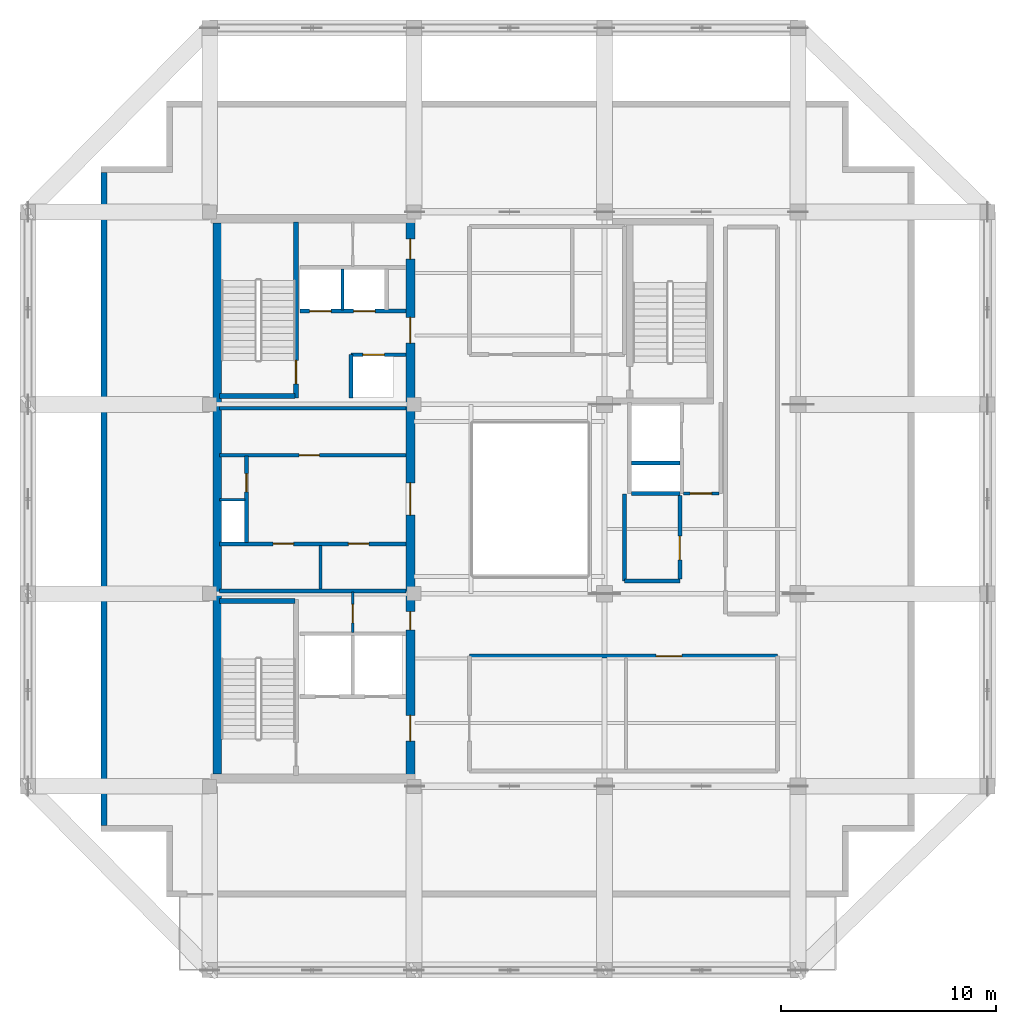
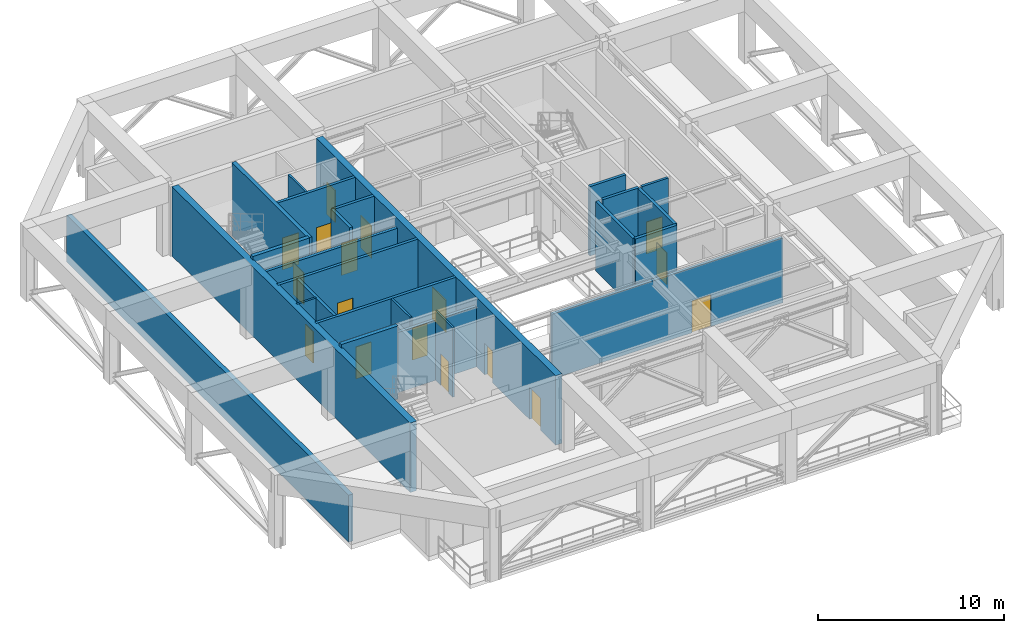
# One storey, part 4 of 10: 25 walls, 17 doors, 17 openings.
"""IFC4 building model written with IfcOpenShell, lengths in metres."""

from ifc_helpers import new_model, si_unit, direction, frame, frame_2d, origin, place, context, subcontext, project, spatial, rectangle, extrude, material, layer, layer_set, type_object, element, fill, save


model = new_model("IFC4")

# Units and contexts
model_context = context("Model", 3, precision=1e-05, world=origin(), true_north=direction((0.0, 1.0)))
body_context = subcontext(model_context, "Body", "Model", "MODEL_VIEW")
ifc_project = project(units=[si_unit("LENGTHUNIT", "METRE"), si_unit("AREAUNIT", "SQUARE_METRE"), si_unit("VOLUMEUNIT", "CUBIC_METRE"), si_unit("PLANEANGLEUNIT", "RADIAN"), si_unit("MASSUNIT", "GRAM", prefix="KILO")], contexts=[model_context])

# Site, building, storey
site_placement = place(None, origin())
site = spatial("IfcSite", under=ifc_project, at=site_placement, CompositionType="ELEMENT")
building_placement = place(site_placement, origin())
building = spatial("IfcBuilding", under=site, at=building_placement, Name="Kundavana Baori Tower", CompositionType="ELEMENT")
storey_placement = place(building_placement, frame((0.0, 0.0, 307.699951171875)))
storey = spatial("IfcBuildingStorey", under=building, at=storey_placement, Name="L76", CompositionType="ELEMENT", Elevation=307.699951171875)

# Wall
ifc_material_1 = material(Name="Concrete C50/60", Category="concrete")
ifc_layer_1 = layer(ifc_material_1, 0.39990234375, Name="WL-CORE-400")
ifc_layer_set_1 = layer_set([ifc_layer_1], Name="Concrete C50/60")
wall_type_1 = type_object("IfcWallType", Name="WL-CORE-400", PredefinedType="SHEAR", material=ifc_layer_set_1)
wall_1_placement = place(storey_placement, frame((15.7900390625, 15.81005859375, 0.0), z_axis=(0.0, 0.0, 1.0), x_axis=(0.0, 1.0, 0.0)))
element("IfcWall", 1, at=wall_1_placement, inside=storey, type_object=wall_type_1, Name="L76 Offset Core West Shear Wall", PredefinedType="SHEAR", context=body_context, shape_type="SweptSolid", body=[
    extrude(rectangle(XDim=25.6298828125, YDim=0.39990234375, at=frame_2d((12.81494140625, 0.0))), origin(), (0.0, 0.0, 1.0), 4.56005859375),
])

# Wall, openings, doors
wall_2_placement = place(storey_placement, frame((24.780029296875, 15.739990234375, 0.0), z_axis=(0.0, 0.0, 1.0), x_axis=(0.0, 1.0, 0.0)))
wall_2 = element("IfcWall", 2, at=wall_2_placement, inside=storey, type_object=wall_type_1, Name="L76 Offset Core East Shear Wall", PredefinedType="SHEAR", context=body_context, shape_type="SweptSolid", body=[
    extrude(rectangle(XDim=25.760009765625, YDim=0.39990234375, at=frame_2d((12.8798828125, 0.0))), origin(), (0.0, 0.0, 1.0), 4.56005859375),
])
opening_1_placement = place(wall_2_placement, frame((1.610107421875, 0.0, 0.0)))
opening_1 = element("IfcOpeningElement", 3, at=opening_1_placement, cuts=wall_2, Name="Opening FD-120", PredefinedType="OPENING", context=body_context, shape_type="SweptSolid", body=[
    extrude(rectangle(XDim=1.199951171875, YDim=2.10009765625, at=frame_2d((0.60009765625, 1.050048828125))), frame((0.0, 0.2099609375, 0.0), z_axis=(0.0, -1.0, 0.0), x_axis=(1.0, 0.0, 0.0)), (0.0, 0.0, 1.0), 0.419921875),
])
opening_2_placement = place(wall_2_placement, frame((6.780029296875, 0.0, 0.0)))
opening_2 = element("IfcOpeningElement", 4, at=opening_2_placement, cuts=wall_2, Name="Opening FD-085", PredefinedType="OPENING", context=body_context, shape_type="SweptSolid", body=[
    extrude(rectangle(XDim=0.85009765625, YDim=2.06005859375, at=frame_2d((0.425048828125, 1.030029296875))), frame((0.0, 0.2099609375, 0.0), z_axis=(0.0, -1.0, 0.0), x_axis=(1.0, 0.0, 0.0)), (0.0, 0.0, 1.0), 0.419921875),
])
opening_3_placement = place(wall_2_placement, frame((12.110107421875, 0.0, 0.0)))
opening_3 = element("IfcOpeningElement", 5, at=opening_3_placement, cuts=wall_2, Name="Opening FD-150", PredefinedType="OPENING", context=body_context, shape_type="SweptSolid", body=[
    extrude(rectangle(XDim=1.5, YDim=2.1201171875, at=frame_2d((0.75, 1.06005859375))), frame((0.0, 0.2099609375, 0.0), z_axis=(0.0, -1.0, 0.0), x_axis=(1.0, 0.0, 0.0)), (0.0, 0.0, 1.0), 0.419921875),
])
opening_4_placement = place(wall_2_placement, frame((20.110107421875, 0.0, 0.0)))
opening_4 = element("IfcOpeningElement", 6, at=opening_4_placement, cuts=wall_2, Name="Opening FD-122", PredefinedType="OPENING", context=body_context, shape_type="SweptSolid", body=[
    extrude(rectangle(XDim=1.199951171875, YDim=2.1201171875, at=frame_2d((0.60009765625, 1.06005859375))), frame((0.0, 0.2099609375, 0.0), z_axis=(0.0, -1.0, 0.0), x_axis=(1.0, 0.0, 0.0)), (0.0, 0.0, 1.0), 0.419921875),
])
opening_5_placement = place(wall_2_placement, frame((24.010009765625, 0.0, 0.0)))
opening_5 = element("IfcOpeningElement", 7, at=opening_5_placement, cuts=wall_2, Name="Opening FD-095", PredefinedType="OPENING", context=body_context, shape_type="SweptSolid", body=[
    extrude(rectangle(XDim=0.949951171875, YDim=2.10009765625, at=frame_2d((0.47509765625, 1.050048828125))), frame((0.0, 0.2099609375, 0.0), z_axis=(0.0, -1.0, 0.0), x_axis=(1.0, 0.0, 0.0)), (0.0, 0.0, 1.0), 0.419921875),
])
ifc_material_2 = material(Name="Galvanised Steel Fire-Rated Door Leaf", Category="steel")
door_type_1 = type_object("IfcDoorType", Name="DR-FD120-1200", OperationType="NOTDEFINED", PredefinedType="DOOR", material=ifc_material_2)
door_1_placement = place(opening_1_placement, frame((1.199951171875, 0.0, 0.0), z_axis=(0.0, 0.0, 1.0), x_axis=(-1.0, 0.0, 0.0)))
door_1 = element("IfcDoor", 8, at=door_1_placement, inside=storey, type_object=door_type_1, Name="DR-L76-FFLOB-E", OperationType="SINGLE_SWING_RIGHT", OverallHeight=2.10009765625, OverallWidth=1.199951171875, PredefinedType="DOOR", context=body_context, shape_type="SweptSolid", body=[
    extrude(rectangle(XDim=1.199951171875, YDim=2.10009765625, at=frame_2d((0.60009765625, 1.050048828125))), frame((0.0, 0.02490234375, 0.0), z_axis=(0.0, -1.0, 0.0), x_axis=(1.0, 0.0, 0.0)), (0.0, 0.0, 1.0), 0.050048828125),
])
fill(opening_1, door_1)
ifc_material_3 = material(Name="Galvanised Steel Fire-Rated Door Leaf", Category="steel")
door_type_2 = type_object("IfcDoorType", Name="DR-FD60-1200", OperationType="NOTDEFINED", PredefinedType="DOOR", material=ifc_material_3)
door_2_placement = place(opening_4_placement, frame((1.199951171875, 0.0, 0.0), z_axis=(0.0, 0.0, 1.0), x_axis=(-1.0, 0.0, 0.0)))
door_2 = element("IfcDoor", 9, at=door_2_placement, inside=storey, type_object=door_type_2, Name="DR-L76-HRLOB-E", OperationType="SINGLE_SWING_RIGHT", OverallHeight=2.1201171875, OverallWidth=1.199951171875, PredefinedType="DOOR", context=body_context, shape_type="SweptSolid", body=[
    extrude(rectangle(XDim=1.199951171875, YDim=2.1201171875, at=frame_2d((0.60009765625, 1.06005859375))), frame((0.0, 0.02490234375, 0.0), z_axis=(0.0, -1.0, 0.0), x_axis=(1.0, 0.0, 0.0)), (0.0, 0.0, 1.0), 0.050048828125),
])
fill(opening_4, door_2)
ifc_material_4 = material(Name="Galvanised Steel Fire-Rated Door Leaf", Category="steel")
door_type_3 = type_object("IfcDoorType", Name="DR-FD60-1500", OperationType="NOTDEFINED", PredefinedType="DOOR", material=ifc_material_4)
door_3_placement = place(opening_3_placement, frame((1.5, 0.0, 0.0), z_axis=(0.0, 0.0, 1.0), x_axis=(-1.0, 0.0, 0.0)))
door_3 = element("IfcDoor", 10, at=door_3_placement, inside=storey, type_object=door_type_3, Name="DR-L76-LIFTHALL-E", OperationType="SINGLE_SWING_LEFT", OverallHeight=2.1201171875, OverallWidth=1.5, PredefinedType="DOOR", context=body_context, shape_type="SweptSolid", body=[
    extrude(rectangle(XDim=1.5, YDim=2.1201171875, at=frame_2d((0.75, 1.06005859375))), frame((0.0, 0.02490234375, 0.0), z_axis=(0.0, -1.0, 0.0), x_axis=(1.0, 0.0, 0.0)), (0.0, 0.0, 1.0), 0.050048828125),
])
fill(opening_3, door_3)
ifc_material_5 = material(Name="Galvanised Steel Fire-Rated Door Leaf", Category="steel")
door_type_4 = type_object("IfcDoorType", Name="DR-FD60-850", OperationType="NOTDEFINED", PredefinedType="DOOR", material=ifc_material_5)
door_4_placement = place(opening_2_placement, frame((0.85009765625, 0.0, 0.0), z_axis=(0.0, 0.0, 1.0), x_axis=(-1.0, 0.0, 0.0)))
door_4 = element("IfcDoor", 11, at=door_4_placement, inside=storey, type_object=door_type_4, Name="DR-L76-CSMK2", OperationType="SINGLE_SWING_RIGHT", OverallHeight=2.06005859375, OverallWidth=0.85009765625, PredefinedType="DOOR", context=body_context, shape_type="SweptSolid", body=[
    extrude(rectangle(XDim=0.85009765625, YDim=2.06005859375, at=frame_2d((0.425048828125, 1.030029296875))), frame((0.0, 0.02490234375, 0.0), z_axis=(0.0, -1.0, 0.0), x_axis=(1.0, 0.0, 0.0)), (0.0, 0.0, 1.0), 0.050048828125),
])
fill(opening_2, door_4)
ifc_material_6 = material(Name="Engineered Teak Fire-Rated Timber Door Leaf", Category="wood")
door_type_5 = type_object("IfcDoorType", Name="DR-FD60-950", OperationType="NOTDEFINED", PredefinedType="DOOR", material=ifc_material_6)
door_5_placement = place(opening_5_placement, frame((0.949951171875, 0.0, 0.0), z_axis=(0.0, 0.0, 1.0), x_axis=(-1.0, 0.0, 0.0)))
door_5 = element("IfcDoor", 12, at=door_5_placement, inside=storey, type_object=door_type_5, Name="DR-L76-CSRV2", OperationType="SINGLE_SWING_RIGHT", OverallHeight=2.10009765625, OverallWidth=0.949951171875, PredefinedType="DOOR", context=body_context, shape_type="SweptSolid", body=[
    extrude(rectangle(XDim=0.949951171875, YDim=2.10009765625, at=frame_2d((0.47509765625, 1.050048828125))), frame((0.0, 0.02490234375, 0.0), z_axis=(0.0, -1.0, 0.0), x_axis=(1.0, 0.0, 0.0)), (0.0, 0.0, 1.0), 0.050048828125),
])
fill(opening_5, door_5)

# Wall
wall_3_placement = place(storey_placement, frame((15.89990234375, 23.860107421875, 0.0), z_axis=(0.0, 0.0, 1.0), x_axis=(1.0, 0.0, 0.0)))
element("IfcWall", 13, at=wall_3_placement, inside=storey, type_object=wall_type_1, Name="WL-L76-ST1-N", PredefinedType="SHEAR", context=body_context, shape_type="SweptSolid", body=[
    extrude(rectangle(XDim=3.52001953125, YDim=0.239990234375, at=frame_2d((1.760009765625, 0.0))), origin(), (0.0, 0.0, 1.0), 4.800048828125),
])

# Wall, opening, door
wall_4_placement = place(storey_placement, frame((19.4599609375, 33.300048828125, 0.0), z_axis=(0.0, 0.0, 1.0), x_axis=(0.0, 1.0, 0.0)))
wall_4 = element("IfcWall", 14, at=wall_4_placement, inside=storey, type_object=wall_type_1, Name="WL-L76-ST2-E", PredefinedType="SHEAR", context=body_context, shape_type="SweptSolid", body=[
    extrude(rectangle(XDim=8.179931640625, YDim=0.239990234375, at=frame_2d((4.08984375, 0.0))), origin(), (0.0, 0.0, 1.0), 4.800048828125),
])
opening_6_placement = place(wall_4_placement, frame((0.64990234375, 0.0, 0.0)))
opening_6 = element("IfcOpeningElement", 15, at=opening_6_placement, cuts=wall_4, Name="Opening FD-110", PredefinedType="OPENING", context=body_context, shape_type="SweptSolid", body=[
    extrude(rectangle(XDim=1.10009765625, YDim=2.10009765625, at=frame_2d((0.550048828125, 1.050048828125))), frame((0.0, 0.1298828125, 0.0), z_axis=(0.0, -1.0, 0.0), x_axis=(1.0, 0.0, 0.0)), (0.0, 0.0, 1.0), 0.260009765625),
])
ifc_material_7 = material(Name="Galvanised Steel Fire-Rated Door Leaf", Category="steel")
door_type_6 = type_object("IfcDoorType", Name="DR-FD120-1100", OperationType="NOTDEFINED", PredefinedType="DOOR", material=ifc_material_7)
door_6_placement = place(opening_6_placement, origin())
door_6 = element("IfcDoor", 16, at=door_6_placement, inside=storey, type_object=door_type_6, Name="DR-L76-ST2", OperationType="SINGLE_SWING_RIGHT", OverallHeight=2.10009765625, OverallWidth=1.10009765625, PredefinedType="DOOR", context=body_context, shape_type="SweptSolid", body=[
    extrude(rectangle(XDim=1.10009765625, YDim=2.10009765625, at=frame_2d((0.550048828125, 1.050048828125))), frame((0.0, 0.02490234375, 0.0), z_axis=(0.0, -1.0, 0.0), x_axis=(1.0, 0.0, 0.0)), (0.0, 0.0, 1.0), 0.050048828125),
])
fill(opening_6, door_6)

# Walls
wall_5_placement = place(storey_placement, frame((15.89990234375, 33.389892578125, 0.0), z_axis=(0.0, 0.0, 1.0), x_axis=(1.0, 0.0, 0.0)))
element("IfcWall", 17, at=wall_5_placement, inside=storey, type_object=wall_type_1, Name="WL-L76-ST2-S", PredefinedType="SHEAR", context=body_context, shape_type="SweptSolid", body=[
    extrude(rectangle(XDim=3.52001953125, YDim=0.239990234375, at=frame_2d((1.760009765625, 0.0))), origin(), (0.0, 0.0, 1.0), 4.800048828125),
])
ifc_material_8 = material(Name="Red-Buff Dholpur Sandstone Cladding on Concrete C40/50", Category="masonry")
ifc_layer_2 = layer(ifc_material_8, 0.280029296875, Name="WL-EXT-SAND-280")
ifc_layer_set_2 = layer_set([ifc_layer_2], Name="Red-Buff Dholpur Sandstone Cladding on Concrete C40/50")
wall_type_2 = type_object("IfcWallType", Name="WL-EXT-SAND-280", PredefinedType="STANDARD", material=ifc_layer_set_2)
wall_6_placement = place(storey_placement, frame((10.5400390625, 43.77001953125, 0.0), z_axis=(0.0, 0.0, 1.0), x_axis=(0.0, -1.0, 0.0)))
element("IfcWall", 18, at=wall_6_placement, inside=storey, type_object=wall_type_2, Name="L76 Exterior Insulated Facade Wall 10", PredefinedType="STANDARD", context=body_context, shape_type="SweptSolid", body=[
    extrude(rectangle(XDim=30.340087890625, YDim=0.280029296875, at=frame_2d((15.169921875, 0.0))), origin(), (0.0, 0.0, 1.0), 3.080078125),
])

# Wall, opening, door
ifc_material_9 = material(Name="Acoustic Gypsum Plasterboard on Galvanised Steel Studs", Category="steel")
ifc_layer_3 = layer(ifc_material_9, 0.1201171875, Name="WL-PART-120")
ifc_layer_set_3 = layer_set([ifc_layer_3], Name="Acoustic Gypsum Plasterboard on Galvanised Steel Studs")
wall_type_3 = type_object("IfcWallType", Name="WL-PART-120", PredefinedType="PARTITIONING", material=ifc_layer_set_3)
wall_7_placement = place(storey_placement, frame((22.10009765625, 22.39990234375, 0.0), z_axis=(0.0, 0.0, 1.0), x_axis=(0.0, 1.0, 0.0)))
wall_7 = element("IfcWall", 19, at=wall_7_placement, inside=storey, type_object=wall_type_3, Name="WL-L76-CSMK-D1", PredefinedType="PARTITIONING", context=body_context, shape_type="SweptSolid", body=[
    extrude(rectangle(XDim=1.880126953125, YDim=0.1201171875, at=frame_2d((0.93994140625, 0.0))), origin(), (0.0, 0.0, 1.0), 4.56005859375),
])
opening_7_placement = place(wall_7_placement, frame((0.449951171875, 0.0, 0.0)))
opening_7 = element("IfcOpeningElement", 20, at=opening_7_placement, cuts=wall_7, Name="Opening FD-085", PredefinedType="OPENING", context=body_context, shape_type="SweptSolid", body=[
    extrude(rectangle(XDim=0.85009765625, YDim=2.06005859375, at=frame_2d((0.425048828125, 1.030029296875))), frame((0.0, 0.070068359375, 0.0), z_axis=(0.0, -1.0, 0.0), x_axis=(1.0, 0.0, 0.0)), (0.0, 0.0, 1.0), 0.14013671875),
])
door_7_placement = place(opening_7_placement, origin())
door_7 = element("IfcDoor", 21, at=door_7_placement, inside=storey, type_object=door_type_4, Name="DR-L76-CSMK1", OperationType="SINGLE_SWING_LEFT", OverallHeight=2.06005859375, OverallWidth=0.85009765625, PredefinedType="DOOR", context=body_context, shape_type="SweptSolid", body=[
    extrude(rectangle(XDim=0.85009765625, YDim=2.06005859375, at=frame_2d((0.425048828125, 1.030029296875))), frame((0.0, 0.02490234375, 0.0), z_axis=(0.0, -1.0, 0.0), x_axis=(1.0, 0.0, 0.0)), (0.0, 0.0, 1.0), 0.050048828125),
])
fill(opening_7, door_7)

# Walls
wall_8_placement = place(storey_placement, frame((20.60009765625, 24.419921875, 0.0), z_axis=(0.0, 0.0, 1.0), x_axis=(0.0, 1.0, 0.0)))
element("IfcWall", 22, at=wall_8_placement, inside=storey, type_object=wall_type_3, Name="WL-L76-FRLOW-DIV", PredefinedType="PARTITIONING", context=body_context, shape_type="SweptSolid", body=[
    extrude(rectangle(XDim=2.02001953125, YDim=0.1201171875, at=frame_2d((1.010009765625, 0.0))), origin(), (0.0, 0.0, 1.0), 4.56005859375),
])
wall_9_placement = place(storey_placement, frame((15.89990234375, 28.56005859375, 0.0), z_axis=(0.0, 0.0, 1.0), x_axis=(1.0, 0.0, 0.0)))
element("IfcWall", 23, at=wall_9_placement, inside=storey, type_object=wall_type_3, Name="WL-L76-RSRW-N", PredefinedType="PARTITIONING", context=body_context, shape_type="SweptSolid", body=[
    extrude(rectangle(XDim=1.2001953125, YDim=0.1201171875, at=frame_2d((0.60009765625, 0.0))), origin(), (0.0, 0.0, 1.0), 4.56005859375),
])
wall_10_placement = place(storey_placement, frame((21.6201171875, 37.39990234375, 0.0), z_axis=(0.0, 0.0, 1.0), x_axis=(0.0, 1.0, 0.0)))
element("IfcWall", 24, at=wall_10_placement, inside=storey, type_object=wall_type_3, Name="WL-L76-HR-DIV1", PredefinedType="PARTITIONING", context=body_context, shape_type="SweptSolid", body=[
    extrude(rectangle(XDim=1.900146484375, YDim=0.1201171875, at=frame_2d((0.9501953125, 0.0))), origin(), (0.0, 0.0, 1.0), 4.56005859375),
])

# Wall, opening, door
ifc_material_10 = material(Name="Fire-Rated Gypsum Drywall on Galvanised Steel Studs", Category="steel")
ifc_layer_4 = layer(ifc_material_10, 0.14990234375, Name="WL-PART-150")
ifc_layer_set_4 = layer_set([ifc_layer_4], Name="Fire-Rated Gypsum Drywall on Galvanised Steel Studs")
wall_type_4 = type_object("IfcWallType", Name="WL-PART-150", PredefinedType="PARTITIONING", material=ifc_layer_set_4)
wall_11_placement = place(storey_placement, frame((37.47998046875, 28.860107421875, 0.0), z_axis=(0.0, 0.0, 1.0), x_axis=(1.0, 0.0, 0.0)))
wall_11 = element("IfcWall", 25, at=wall_11_placement, inside=storey, type_object=wall_type_4, Name="WL-L76-SVLOB-S", PredefinedType="PARTITIONING", context=body_context, shape_type="SweptSolid", body=[
    extrude(rectangle(XDim=1.64013671875, YDim=0.14990234375, at=frame_2d((0.820068359375, 0.0))), origin(), (0.0, 0.0, 1.0), 4.56005859375),
])
opening_8_placement = place(wall_11_placement, frame((0.300048828125, 0.0, 0.0)))
opening_8 = element("IfcOpeningElement", 26, at=opening_8_placement, cuts=wall_11, Name="Opening FD-100", PredefinedType="OPENING", context=body_context, shape_type="SweptSolid", body=[
    extrude(rectangle(XDim=1.0, YDim=2.10009765625, at=frame_2d((0.5, 1.050048828125))), frame((0.0, 0.0849609375, 0.0), z_axis=(0.0, -1.0, 0.0), x_axis=(1.0, 0.0, 0.0)), (0.0, 0.0, 1.0), 0.169921875),
])
ifc_material_11 = material(Name="Engineered Teak Fire-Rated Timber Door Leaf", Category="wood")
door_type_7 = type_object("IfcDoorType", Name="DR-FD60-1000", OperationType="NOTDEFINED", PredefinedType="DOOR", material=ifc_material_11)
door_8_placement = place(opening_8_placement, origin())
door_8 = element("IfcDoor", 27, at=door_8_placement, inside=storey, type_object=door_type_7, Name="DR-L76-SVLOB-OUT", OperationType="SINGLE_SWING_LEFT", OverallHeight=2.10009765625, OverallWidth=1.0, PredefinedType="DOOR", context=body_context, shape_type="SweptSolid", body=[
    extrude(rectangle(XDim=1.0, YDim=2.10009765625, at=frame_2d((0.5, 1.050048828125))), frame((0.0, 0.02490234375, 0.0), z_axis=(0.0, -1.0, 0.0), x_axis=(1.0, 0.0, 0.0)), (0.0, 0.0, 1.0), 0.050048828125),
])
fill(opening_8, door_8)

ifc_material_12 = material(Name="Autoclaved Aerated Concrete Blockwork Masonry", Category="masonry")
ifc_layer_5 = layer(ifc_material_12, 0.18505859375, Name="WL-PART-180")
ifc_layer_set_5 = layer_set([ifc_layer_5], Name="Autoclaved Aerated Concrete Blockwork Masonry")
wall_type_5 = type_object("IfcWallType", Name="WL-PART-180", PredefinedType="SOLIDWALL", material=ifc_layer_set_5)
wall_12_placement = place(storey_placement, frame((27.52001953125, 21.300048828125, 0.0), z_axis=(0.0, 0.0, 1.0), x_axis=(1.0, 0.0, 0.0)))
wall_12 = element("IfcWall", 28, at=wall_12_placement, inside=storey, type_object=wall_type_5, Name="WL-L76-REF-N", PredefinedType="SOLIDWALL", context=body_context, shape_type="SweptSolid", body=[
    extrude(rectangle(XDim=14.330078125, YDim=0.18505859375, at=frame_2d((7.1650390625, 0.0))), origin(), (0.0, 0.0, 1.0), 4.260009765625),
])
opening_9_placement = place(wall_12_placement, frame((8.679931640625, 0.0, 0.0)))
opening_9 = element("IfcOpeningElement", 29, at=opening_9_placement, cuts=wall_12, Name="Opening FD-120", PredefinedType="OPENING", context=body_context, shape_type="SweptSolid", body=[
    extrude(rectangle(XDim=1.199951171875, YDim=2.10009765625, at=frame_2d((0.60009765625, 1.050048828125))), frame((0.0, 0.1025390625, 0.0), z_axis=(0.0, -1.0, 0.0), x_axis=(1.0, 0.0, 0.0)), (0.0, 0.0, 1.0), 0.205078125),
])
door_9_placement = place(opening_9_placement, frame((1.199951171875, 0.0, 0.0), z_axis=(0.0, 0.0, 1.0), x_axis=(-1.0, 0.0, 0.0)))
door_9 = element("IfcDoor", 30, at=door_9_placement, inside=storey, type_object=door_type_1, Name="DR-L76-REF2", OperationType="SINGLE_SWING_RIGHT", OverallHeight=2.10009765625, OverallWidth=1.199951171875, PredefinedType="DOOR", context=body_context, shape_type="SweptSolid", body=[
    extrude(rectangle(XDim=1.199951171875, YDim=2.10009765625, at=frame_2d((0.60009765625, 1.050048828125))), frame((0.0, 0.02490234375, 0.0), z_axis=(0.0, -1.0, 0.0), x_axis=(1.0, 0.0, 0.0)), (0.0, 0.0, 1.0), 0.050048828125),
])
fill(opening_9, door_9)

# Walls
wall_13_placement = place(storey_placement, frame((34.719970703125, 24.800048828125, 0.0), z_axis=(0.0, 0.0, 1.0), x_axis=(1.0, 0.0, 0.0)))
element("IfcWall", 31, at=wall_13_placement, inside=storey, type_object=wall_type_5, Name="WL-L76-PAHUS", PredefinedType="SOLIDWALL", context=body_context, shape_type="SweptSolid", body=[
    extrude(rectangle(XDim=2.580078125, YDim=0.18505859375, at=frame_2d((1.2900390625, 0.0))), origin(), (0.0, 0.0, 1.0), 4.56005859375),
])
wall_14_placement = place(storey_placement, frame((34.719970703125, 24.800048828125, 0.0), z_axis=(0.0, 0.0, 1.0), x_axis=(0.0, 1.0, 0.0)))
element("IfcWall", 32, at=wall_14_placement, inside=storey, type_object=wall_type_5, Name="WL-L76-PAHUW", PredefinedType="SOLIDWALL", context=body_context, shape_type="SweptSolid", body=[
    extrude(rectangle(XDim=4.0400390625, YDim=0.18505859375, at=frame_2d((2.02001953125, 0.0))), origin(), (0.0, 0.0, 1.0), 4.56005859375),
])

# Wall, opening, door
wall_15_placement = place(storey_placement, frame((37.300048828125, 24.8798828125, 0.0), z_axis=(0.0, 0.0, 1.0), x_axis=(0.0, 1.0, 0.0)))
wall_15 = element("IfcWall", 33, at=wall_15_placement, inside=storey, type_object=wall_type_5, Name="WL-L76-PAHUE", PredefinedType="SOLIDWALL", context=body_context, shape_type="SweptSolid", body=[
    extrude(rectangle(XDim=3.880126953125, YDim=0.18505859375, at=frame_2d((1.93994140625, 0.0))), origin(), (0.0, 0.0, 1.0), 4.56005859375),
])
opening_10_placement = place(wall_15_placement, frame((0.89990234375, 0.0, 0.0)))
opening_10 = element("IfcOpeningElement", 34, at=opening_10_placement, cuts=wall_15, Name="Opening FD-110", PredefinedType="OPENING", context=body_context, shape_type="SweptSolid", body=[
    extrude(rectangle(XDim=1.10009765625, YDim=2.10009765625, at=frame_2d((0.550048828125, 1.050048828125))), frame((0.0, 0.1025390625, 0.0), z_axis=(0.0, -1.0, 0.0), x_axis=(1.0, 0.0, 0.0)), (0.0, 0.0, 1.0), 0.205078125),
])
door_10_placement = place(opening_10_placement, frame((1.10009765625, 0.0, 0.0), z_axis=(0.0, 0.0, 1.0), x_axis=(-1.0, 0.0, 0.0)))
door_10 = element("IfcDoor", 35, at=door_10_placement, inside=storey, type_object=door_type_6, Name="DR-L76-PL1", OperationType="SINGLE_SWING_LEFT", OverallHeight=2.10009765625, OverallWidth=1.10009765625, PredefinedType="DOOR", context=body_context, shape_type="SweptSolid", body=[
    extrude(rectangle(XDim=1.10009765625, YDim=2.10009765625, at=frame_2d((0.550048828125, 1.050048828125))), frame((0.0, 0.02490234375, 0.0), z_axis=(0.0, -1.0, 0.0), x_axis=(1.0, 0.0, 0.0)), (0.0, 0.0, 1.0), 0.050048828125),
])
fill(opening_10, door_10)

# Wall, openings, doors
ifc_material_13 = material(Name="Autoclaved Aerated Concrete Blockwork Masonry", Category="masonry")
ifc_layer_6 = layer(ifc_material_13, 0.179931640625, Name="WL-SHAFT-180")
ifc_layer_set_6 = layer_set([ifc_layer_6], Name="Autoclaved Aerated Concrete Blockwork Masonry")
wall_type_6 = type_object("IfcWallType", Name="WL-SHAFT-180", PredefinedType="SOLIDWALL", material=ifc_layer_set_6)
wall_16_placement = place(storey_placement, frame((15.89990234375, 26.52001953125, 0.0), z_axis=(0.0, 0.0, 1.0), x_axis=(1.0, 0.0, 0.0)))
wall_16 = element("IfcWall", 36, at=wall_16_placement, inside=storey, type_object=wall_type_6, Name="WL-L76-LPLOW-N", PredefinedType="SOLIDWALL", context=body_context, shape_type="SweptSolid", body=[
    extrude(rectangle(XDim=8.68017578125, YDim=0.179931640625, at=frame_2d((4.340087890625, 0.0))), origin(), (0.0, 0.0, 1.0), 4.56005859375),
])
opening_11_placement = place(wall_16_placement, frame((2.5, 0.0, 0.0)))
opening_11 = element("IfcOpeningElement", 37, at=opening_11_placement, cuts=wall_16, Name="Opening FD-095", PredefinedType="OPENING", context=body_context, shape_type="SweptSolid", body=[
    extrude(rectangle(XDim=0.949951171875, YDim=2.10009765625, at=frame_2d((0.47509765625, 1.050048828125))), frame((0.0, 0.10009765625, 0.0), z_axis=(0.0, -1.0, 0.0), x_axis=(1.0, 0.0, 0.0)), (0.0, 0.0, 1.0), 0.199951171875),
])
opening_12_placement = place(wall_16_placement, frame((6.0, 0.0, 0.0)))
opening_12 = element("IfcOpeningElement", 38, at=opening_12_placement, cuts=wall_16, Name="Opening FD-095", PredefinedType="OPENING", context=body_context, shape_type="SweptSolid", body=[
    extrude(rectangle(XDim=0.949951171875, YDim=2.10009765625, at=frame_2d((0.47509765625, 1.050048828125))), frame((0.0, 0.10009765625, 0.0), z_axis=(0.0, -1.0, 0.0), x_axis=(1.0, 0.0, 0.0)), (0.0, 0.0, 1.0), 0.199951171875),
])
door_11_placement = place(opening_11_placement, origin())
door_11 = element("IfcDoor", 39, at=door_11_placement, inside=storey, type_object=door_type_5, Name="DR-L76-FRLOW1", OperationType="SINGLE_SWING_LEFT", OverallHeight=2.10009765625, OverallWidth=0.949951171875, PredefinedType="DOOR", context=body_context, shape_type="SweptSolid", body=[
    extrude(rectangle(XDim=0.949951171875, YDim=2.10009765625, at=frame_2d((0.47509765625, 1.050048828125))), frame((0.0, 0.02490234375, 0.0), z_axis=(0.0, -1.0, 0.0), x_axis=(1.0, 0.0, 0.0)), (0.0, 0.0, 1.0), 0.050048828125),
])
fill(opening_11, door_11)
door_12_placement = place(opening_12_placement, origin())
door_12 = element("IfcDoor", 40, at=door_12_placement, inside=storey, type_object=door_type_5, Name="DR-L76-FRLOW2", OperationType="SINGLE_SWING_RIGHT", OverallHeight=2.10009765625, OverallWidth=0.949951171875, PredefinedType="DOOR", context=body_context, shape_type="SweptSolid", body=[
    extrude(rectangle(XDim=0.949951171875, YDim=2.10009765625, at=frame_2d((0.47509765625, 1.050048828125))), frame((0.0, 0.02490234375, 0.0), z_axis=(0.0, -1.0, 0.0), x_axis=(1.0, 0.0, 0.0)), (0.0, 0.0, 1.0), 0.050048828125),
])
fill(opening_12, door_12)

# Wall
wall_17_placement = place(storey_placement, frame((15.89990234375, 24.330078125, 0.0), z_axis=(0.0, 0.0, 1.0), x_axis=(1.0, 0.0, 0.0)))
element("IfcWall", 41, at=wall_17_placement, inside=storey, type_object=wall_type_6, Name="WL-L76-LPLOW-S", PredefinedType="SOLIDWALL", context=body_context, shape_type="SweptSolid", body=[
    extrude(rectangle(XDim=8.68017578125, YDim=0.179931640625, at=frame_2d((4.340087890625, 0.0))), origin(), (0.0, 0.0, 1.0), 3.9599609375),
])

# Wall, opening, door
wall_18_placement = place(storey_placement, frame((17.159912109375, 26.580078125, 0.0), z_axis=(0.0, 0.0, 1.0), x_axis=(0.0, 1.0, 0.0)))
wall_18 = element("IfcWall", 42, at=wall_18_placement, inside=storey, type_object=wall_type_6, Name="WL-L76-RSRW-E", PredefinedType="SOLIDWALL", context=body_context, shape_type="SweptSolid", body=[
    extrude(rectangle(XDim=4.02001953125, YDim=0.179931640625, at=frame_2d((2.010009765625, 0.0))), origin(), (0.0, 0.0, 1.0), 4.56005859375),
])
opening_13_placement = place(wall_18_placement, frame((2.35009765625, 0.0, 0.0)))
opening_13 = element("IfcOpeningElement", 43, at=opening_13_placement, cuts=wall_18, Name="Opening FD-085", PredefinedType="OPENING", context=body_context, shape_type="SweptSolid", body=[
    extrude(rectangle(XDim=0.85009765625, YDim=2.06005859375, at=frame_2d((0.425048828125, 1.030029296875))), frame((0.0, 0.10009765625, 0.0), z_axis=(0.0, -1.0, 0.0), x_axis=(1.0, 0.0, 0.0)), (0.0, 0.0, 1.0), 0.199951171875),
])
door_13_placement = place(opening_13_placement, origin())
door_13 = element("IfcDoor", 44, at=door_13_placement, inside=storey, type_object=door_type_4, Name="DR-L76-CLN", OperationType="SINGLE_SWING_RIGHT", OverallHeight=2.06005859375, OverallWidth=0.85009765625, PredefinedType="DOOR", context=body_context, shape_type="SweptSolid", body=[
    extrude(rectangle(XDim=0.85009765625, YDim=2.06005859375, at=frame_2d((0.425048828125, 1.030029296875))), frame((0.0, 0.02490234375, 0.0), z_axis=(0.0, -1.0, 0.0), x_axis=(1.0, 0.0, 0.0)), (0.0, 0.0, 1.0), 0.050048828125),
])
fill(opening_13, door_13)

wall_19_placement = place(storey_placement, frame((15.89990234375, 30.639892578125, 0.0), z_axis=(0.0, 0.0, 1.0), x_axis=(1.0, 0.0, 0.0)))
wall_19 = element("IfcWall", 45, at=wall_19_placement, inside=storey, type_object=wall_type_6, Name="WL-L76-LPMID-S", PredefinedType="SOLIDWALL", context=body_context, shape_type="SweptSolid", body=[
    extrude(rectangle(XDim=8.68017578125, YDim=0.179931640625, at=frame_2d((4.340087890625, 0.0))), origin(), (0.0, 0.0, 1.0), 4.56005859375),
])
opening_14_placement = place(wall_19_placement, frame((3.699951171875, 0.0, 0.0)))
opening_14 = element("IfcOpeningElement", 46, at=opening_14_placement, cuts=wall_19, Name="Opening FD-095", PredefinedType="OPENING", context=body_context, shape_type="SweptSolid", body=[
    extrude(rectangle(XDim=0.949951171875, YDim=2.10009765625, at=frame_2d((0.47509765625, 1.050048828125))), frame((0.0, 0.10009765625, 0.0), z_axis=(0.0, -1.0, 0.0), x_axis=(1.0, 0.0, 0.0)), (0.0, 0.0, 1.0), 0.199951171875),
])
door_14_placement = place(opening_14_placement, frame((0.949951171875, 0.0, 0.0), z_axis=(0.0, 0.0, 1.0), x_axis=(-1.0, 0.0, 0.0)))
door_14 = element("IfcDoor", 47, at=door_14_placement, inside=storey, type_object=door_type_5, Name="DR-L76-FRMID1", OperationType="SINGLE_SWING_RIGHT", OverallHeight=2.10009765625, OverallWidth=0.949951171875, PredefinedType="DOOR", context=body_context, shape_type="SweptSolid", body=[
    extrude(rectangle(XDim=0.949951171875, YDim=2.10009765625, at=frame_2d((0.47509765625, 1.050048828125))), frame((0.0, 0.02490234375, 0.0), z_axis=(0.0, -1.0, 0.0), x_axis=(1.0, 0.0, 0.0)), (0.0, 0.0, 1.0), 0.050048828125),
])
fill(opening_14, door_14)

# Wall
wall_20_placement = place(storey_placement, frame((15.89990234375, 32.820068359375, 0.0), z_axis=(0.0, 0.0, 1.0), x_axis=(1.0, 0.0, 0.0)))
element("IfcWall", 48, at=wall_20_placement, inside=storey, type_object=wall_type_6, Name="WL-L76-LPMID-N", PredefinedType="SOLIDWALL", context=body_context, shape_type="SweptSolid", body=[
    extrude(rectangle(XDim=8.68017578125, YDim=0.179931640625, at=frame_2d((4.340087890625, 0.0))), origin(), (0.0, 0.0, 1.0), 3.9599609375),
])

# Wall, opening, door
wall_21_placement = place(storey_placement, frame((22.02001953125, 35.31005859375, 0.0), z_axis=(0.0, 0.0, 1.0), x_axis=(1.0, 0.0, 0.0)))
wall_21 = element("IfcWall", 49, at=wall_21_placement, inside=storey, type_object=wall_type_6, Name="WL-L76-LP11-N", PredefinedType="SOLIDWALL", context=body_context, shape_type="SweptSolid", body=[
    extrude(rectangle(XDim=2.56005859375, YDim=0.179931640625, at=frame_2d((1.280029296875, 0.0))), origin(), (0.0, 0.0, 1.0), 4.56005859375),
])
opening_15_placement = place(wall_21_placement, frame((0.550048828125, 0.0, 0.0)))
opening_15 = element("IfcOpeningElement", 50, at=opening_15_placement, cuts=wall_21, Name="Opening LD-100", PredefinedType="OPENING", context=body_context, shape_type="SweptSolid", body=[
    extrude(rectangle(XDim=1.0, YDim=2.10009765625, at=frame_2d((0.5, 1.050048828125))), frame((0.0, 0.10009765625, 0.0), z_axis=(0.0, -1.0, 0.0), x_axis=(1.0, 0.0, 0.0)), (0.0, 0.0, 1.0), 0.199951171875),
])
ifc_material_14 = material(Name="Galvanised Steel Fire-Rated Door Leaf", Category="steel")
door_type_8 = type_object("IfcDoorType", Name="DR-SLIDE-LD1000", OperationType="NOTDEFINED", PredefinedType="DOOR", material=ifc_material_14)
door_15_placement = place(opening_15_placement, origin())
door_15 = element("IfcDoor", 51, at=door_15_placement, inside=storey, type_object=door_type_8, Name="DR-L76-LD-LP11", OperationType="DOUBLE_DOOR_SLIDING", OverallHeight=2.10009765625, OverallWidth=1.0, PredefinedType="DOOR", context=body_context, shape_type="SweptSolid", body=[
    extrude(rectangle(XDim=1.0, YDim=2.10009765625, at=frame_2d((0.5, 1.050048828125))), frame((0.0, 0.02490234375, 0.0), z_axis=(0.0, -1.0, 0.0), x_axis=(1.0, 0.0, 0.0)), (0.0, 0.0, 1.0), 0.050048828125),
])
fill(opening_15, door_15)

# Wall
wall_22_placement = place(storey_placement, frame((22.02001953125, 33.300048828125, 0.0), z_axis=(0.0, 0.0, 1.0), x_axis=(0.0, 1.0, 0.0)))
element("IfcWall", 52, at=wall_22_placement, inside=storey, type_object=wall_type_6, Name="WL-L76-LP11-W", PredefinedType="SOLIDWALL", context=body_context, shape_type="SweptSolid", body=[
    extrude(rectangle(XDim=2.010009765625, YDim=0.179931640625, at=frame_2d((1.0048828125, 0.0))), origin(), (0.0, 0.0, 1.0), 4.56005859375),
])

# Wall, openings, doors
wall_23_placement = place(storey_placement, frame((19.639892578125, 37.340087890625, 0.0), z_axis=(0.0, 0.0, 1.0), x_axis=(1.0, 0.0, 0.0)))
wall_23 = element("IfcWall", 53, at=wall_23_placement, inside=storey, type_object=wall_type_6, Name="WL-L76-HRLOB-N", PredefinedType="SOLIDWALL", context=body_context, shape_type="SweptSolid", body=[
    extrude(rectangle(XDim=4.940185546875, YDim=0.179931640625, at=frame_2d((2.47021484375, 0.0))), origin(), (0.0, 0.0, 1.0), 4.56005859375),
])
opening_16_placement = place(wall_23_placement, frame((0.449951171875, 0.0, 0.0)))
opening_16 = element("IfcOpeningElement", 54, at=opening_16_placement, cuts=wall_23, Name="Opening LD-100", PredefinedType="OPENING", context=body_context, shape_type="SweptSolid", body=[
    extrude(rectangle(XDim=1.0, YDim=2.10009765625, at=frame_2d((0.5, 1.050048828125))), frame((0.0, 0.10009765625, 0.0), z_axis=(0.0, -1.0, 0.0), x_axis=(1.0, 0.0, 0.0)), (0.0, 0.0, 1.0), 0.199951171875),
])
opening_17_placement = place(wall_23_placement, frame((2.5, 0.0, 0.0)))
opening_17 = element("IfcOpeningElement", 55, at=opening_17_placement, cuts=wall_23, Name="Opening LD-100", PredefinedType="OPENING", context=body_context, shape_type="SweptSolid", body=[
    extrude(rectangle(XDim=1.0, YDim=2.10009765625, at=frame_2d((0.5, 1.050048828125))), frame((0.0, 0.10009765625, 0.0), z_axis=(0.0, -1.0, 0.0), x_axis=(1.0, 0.0, 0.0)), (0.0, 0.0, 1.0), 0.199951171875),
])
door_16_placement = place(opening_16_placement, frame((1.0, 0.0, 0.0), z_axis=(0.0, 0.0, 1.0), x_axis=(-1.0, 0.0, 0.0)))
door_16 = element("IfcDoor", 56, at=door_16_placement, inside=storey, type_object=door_type_8, Name="DR-L76-LD-LP09", OperationType="DOUBLE_DOOR_SLIDING", OverallHeight=2.10009765625, OverallWidth=1.0, PredefinedType="DOOR", context=body_context, shape_type="SweptSolid", body=[
    extrude(rectangle(XDim=1.0, YDim=2.10009765625, at=frame_2d((0.5, 1.050048828125))), frame((0.0, 0.02490234375, 0.0), z_axis=(0.0, -1.0, 0.0), x_axis=(1.0, 0.0, 0.0)), (0.0, 0.0, 1.0), 0.050048828125),
])
fill(opening_16, door_16)
door_17_placement = place(opening_17_placement, frame((1.0, 0.0, 0.0), z_axis=(0.0, 0.0, 1.0), x_axis=(-1.0, 0.0, 0.0)))
door_17 = element("IfcDoor", 57, at=door_17_placement, inside=storey, type_object=door_type_8, Name="DR-L76-LD-LP10", OperationType="DOUBLE_DOOR_SLIDING", OverallHeight=2.10009765625, OverallWidth=1.0, PredefinedType="DOOR", context=body_context, shape_type="SweptSolid", body=[
    extrude(rectangle(XDim=1.0, YDim=2.10009765625, at=frame_2d((0.5, 1.050048828125))), frame((0.0, 0.02490234375, 0.0), z_axis=(0.0, -1.0, 0.0), x_axis=(1.0, 0.0, 0.0)), (0.0, 0.0, 1.0), 0.050048828125),
])
fill(opening_17, door_17)

# Walls
for number, where, z_axis, x_axis, name in (
    (58, (35.050048828125, 28.860107421875, 0.0), (0.0, 0.0, 1.0), (1.0, 0.0, 0.0), "WL-L76-SVL-S"),
    (59, (35.050048828125, 30.27001953125, 0.0), (0.0, 0.0, 1.0), (1.0, 0.0, 0.0), "WL-L76-SVL-M"),
):
    element("IfcWall", number, at=place(storey_placement, frame(where, z_axis=z_axis, x_axis=x_axis)), inside=storey, type_object=wall_type_6, Name=name, PredefinedType="SOLIDWALL", context=body_context, shape_type="SweptSolid", body=[
        extrude(rectangle(XDim=2.25, YDim=0.179931640625, at=frame_2d((1.125, 0.0))), origin(), (0.0, 0.0, 1.0), 4.56005859375),
    ])

save(model, "model.ifc")
